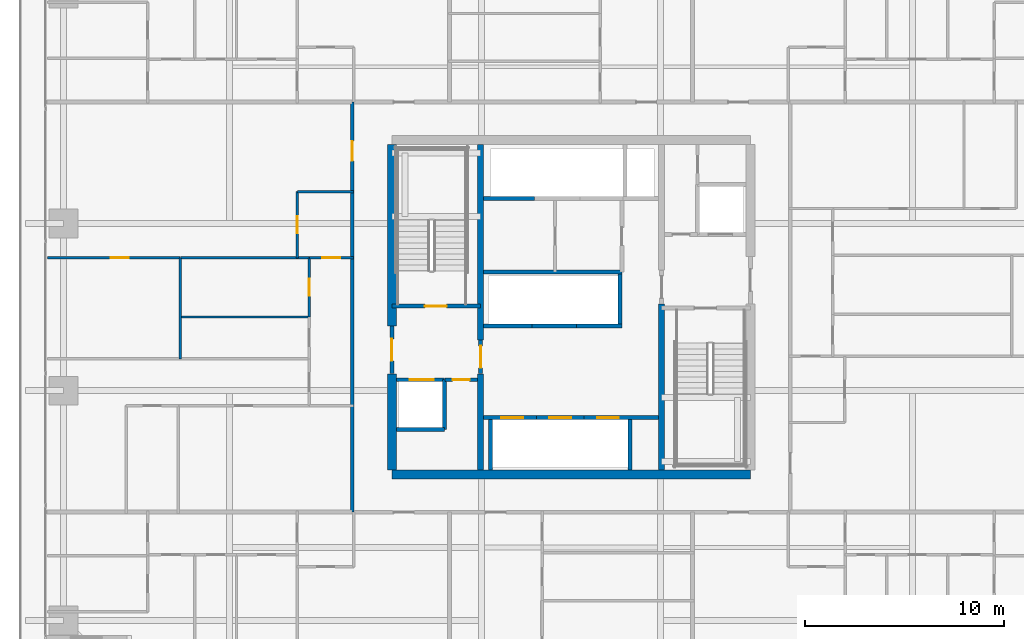
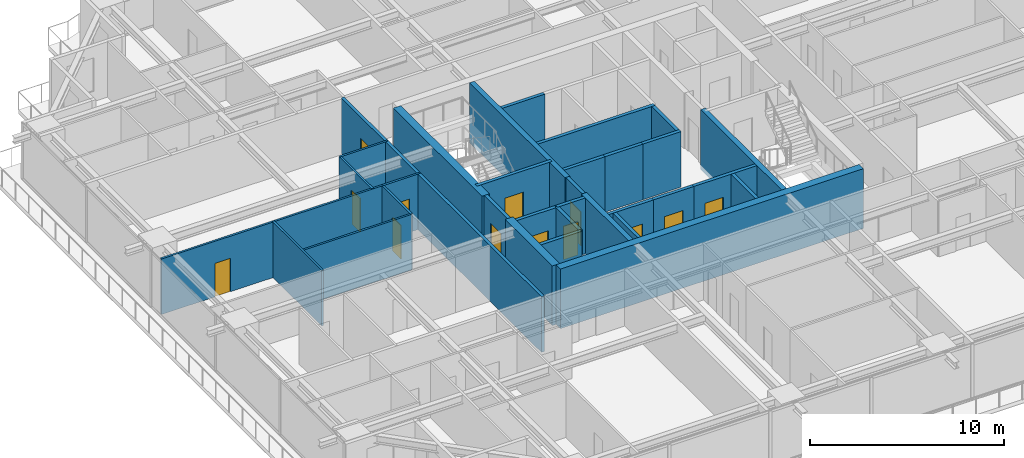
# One storey, part 27 of 37: 33 walls, 13 doors, 13 openings.
"""IFC4 building model written with IfcOpenShell, lengths in metres."""

import ifcopenshell
import ifcopenshell.guid

model = None  # the IFC model being written
_history = None  # IfcOwnerHistory: only IFC2X3 demands one
_inside = {}  # id of a spatial element -> (the spatial element, [elements in it])
_under = {}  # id of a project, library or spatial element -> (it, [spatial elements below it])
_declared = {}  # id of a project -> (the project, [libraries it declares])
_typed = {}  # id of a type object -> (the type object, [elements of that type])
_made_of = {}  # id of a material, layer set ... -> (it, [elements and type objects made of it])


def new_model(schema):
    """Start an empty IFC model of exactly this schema.

    Asked for "IFC4X3", IfcOpenShell would pick the latest addendum, in which some entities
    have other attributes; the version numbers below select the first issue.
    IFC2X3 requires an IfcOwnerHistory on every rooted entity: one is made here for all.
    """
    global model, _history
    if schema == "IFC4X3":
        model = ifcopenshell.file(schema_version=(4, 3, 0, 0))
    else:
        model = ifcopenshell.file(schema=schema)
    _inside.clear()
    _under.clear()
    _declared.clear()
    _typed.clear()
    _made_of.clear()
    _history = None
    if model.schema == "IFC2X3":
        org = make("IfcOrganization", Name="unknown")
        user = make(
            "IfcPersonAndOrganization",
            ThePerson=make("IfcPerson", FamilyName="unknown"),
            TheOrganization=org,
        )
        app = make(
            "IfcApplication",
            ApplicationDeveloper=org,
            Version="unknown",
            ApplicationFullName="unknown",
            ApplicationIdentifier="unknown",
        )
        _history = make(
            "IfcOwnerHistory",
            OwningUser=user,
            OwningApplication=app,
            ChangeAction="ADDED",
            CreationDate=0,
        )
    return model


def make(cls, **values):
    """One entity of the class cls with the attributes given. An attribute that is None is left unset."""
    return model.create_entity(
        cls, **{name: value for name, value in values.items() if value is not None}
    )


def rooted(cls, **values):
    """An entity with a GlobalId (a new one), such as an element, a storey or a relation."""
    return make(cls, GlobalId=ifcopenshell.guid.new(), OwnerHistory=_history, **values)


def si_unit(unit_type, name, prefix=None):
    """IfcSIUnit, for example si_unit("LENGTHUNIT", "METRE", prefix="MILLI")."""
    return make("IfcSIUnit", UnitType=unit_type, Prefix=prefix, Name=name)


def assignment(units):
    """IfcUnitAssignment: the units of a project."""
    return None if units is None else make("IfcUnitAssignment", Units=units)


def point(xyz):
    """IfcCartesianPoint."""
    return None if xyz is None else make("IfcCartesianPoint", Coordinates=xyz)


def direction(xyz):
    """IfcDirection."""
    return None if xyz is None else make("IfcDirection", DirectionRatios=xyz)


def frame(location, z_axis=None, x_axis=None):
    """IfcAxis2Placement3D, a coordinate frame: its origin and axes. An axis left out is left unset."""
    return make(
        "IfcAxis2Placement3D",
        Location=point(location),
        Axis=direction(z_axis),
        RefDirection=direction(x_axis),
    )


def frame_2d(location, x_axis=None):
    """IfcAxis2Placement2D, a coordinate frame in the plane: its origin and x axis."""
    return make(
        "IfcAxis2Placement2D", Location=point(location), RefDirection=direction(x_axis)
    )


def origin():
    """The frame at (0, 0, 0) with its axes left unset."""
    return frame((0.0, 0.0, 0.0))


def place(relative_to, where):
    """IfcLocalPlacement: puts the frame where relative to a parent placement (None: the world)."""
    return make(
        "IfcLocalPlacement", PlacementRelTo=relative_to, RelativePlacement=where
    )


def context(
    kind, dimensions, precision=None, world=None, true_north=None, identifier=None
):
    """IfcGeometricRepresentationContext, for example the 3D "Model" context."""
    return make(
        "IfcGeometricRepresentationContext",
        ContextIdentifier=identifier,
        ContextType=kind,
        CoordinateSpaceDimension=dimensions,
        Precision=precision,
        WorldCoordinateSystem=world,
        TrueNorth=true_north,
    )


def subcontext(parent, identifier, kind, view, scale=None):
    """IfcGeometricRepresentationSubContext, for example "Body" below "Model"."""
    return make(
        "IfcGeometricRepresentationSubContext",
        ContextIdentifier=identifier,
        ContextType=kind,
        ParentContext=parent,
        TargetScale=scale,
        TargetView=view,
    )


def project(units=None, contexts=None):
    """IfcProject with its units and contexts."""
    return rooted(
        "IfcProject",
        Name="project",
        RepresentationContexts=contexts,
        UnitsInContext=assignment(units),
    )


def spatial(cls, under=None, at=None, **own):
    """A site, building, storey or space (cls), placed at a placement, below another one or the project."""
    s = rooted(cls, ObjectPlacement=at, **own)
    if under is not None:
        _under.setdefault(under.id(), (under, []))[1].append(s)
    return s


def profile(cls, at=None, kind="AREA", **sizes):
    """A parametric profile (cls). Its sizes go by their IFC names, for example OverallWidth=200.0."""
    return make(cls, ProfileType=kind, Position=at, **sizes)


def rectangle(**sizes):
    """IfcRectangleProfileDef."""
    return profile("IfcRectangleProfileDef", **sizes)


def extrude(swept, where, along, depth):
    """IfcExtrudedAreaSolid: the profile swept, set in the frame where, extruded along a direction by depth."""
    return make(
        "IfcExtrudedAreaSolid",
        SweptArea=swept,
        Position=where,
        ExtrudedDirection=direction(along),
        Depth=depth,
    )


def shape(context_of_items, identifier, shape_type, items):
    """IfcShapeRepresentation: the items that make up one representation, for example the "Body"."""
    return make(
        "IfcShapeRepresentation",
        ContextOfItems=context_of_items,
        RepresentationIdentifier=identifier,
        RepresentationType=shape_type,
        Items=items,
    )


def source(mapping_origin, context_of_items, identifier, shape_type, items):
    """IfcRepresentationMap: a shape defined once, which mapped items show again and again."""
    return make(
        "IfcRepresentationMap",
        MappingOrigin=mapping_origin,
        MappedRepresentation=shape(context_of_items, identifier, shape_type, items),
    )


def transform(
    local_origin,
    x_axis=None,
    y_axis=None,
    z_axis=None,
    scale=None,
    scale2=None,
    scale3=None,
    uniform=True,
):
    """IfcCartesianTransformationOperator3D, or its non-uniform kind. x_axis, y_axis, z_axis: its Axis1, 2, 3."""
    if uniform:
        return make(
            "IfcCartesianTransformationOperator3D",
            Axis1=direction(x_axis),
            Axis2=direction(y_axis),
            LocalOrigin=point(local_origin),
            Scale=scale,
            Axis3=direction(z_axis),
        )
    return make(
        "IfcCartesianTransformationOperator3DnonUniform",
        Axis1=direction(x_axis),
        Axis2=direction(y_axis),
        LocalOrigin=point(local_origin),
        Scale=scale,
        Axis3=direction(z_axis),
        Scale2=scale2,
        Scale3=scale3,
    )


def mapped(mapping_source, mapping_target):
    """IfcMappedItem: shows the shape of a source again, moved by a transform."""
    return make(
        "IfcMappedItem", MappingSource=mapping_source, MappingTarget=mapping_target
    )


def material(Name=None, Category=None):
    """IfcMaterial."""
    return make("IfcMaterial", Name=Name, Category=Category)


def layer(
    of_material, thickness, ventilated=None, Name=None, Category=None, Priority=None
):
    """IfcMaterialLayer: one layer of a wall or slab, of a material (None: an air gap)."""
    return make(
        "IfcMaterialLayer",
        Material=of_material,
        LayerThickness=thickness,
        IsVentilated=ventilated,
        Name=Name,
        Category=Category,
        Priority=Priority,
    )


def layer_set(layers, Name=None):
    """IfcMaterialLayerSet."""
    return make("IfcMaterialLayerSet", MaterialLayers=layers, LayerSetName=Name)


def made_of(thing, what):
    """Note that an element or type object is made of a material, layer set ...; save() writes the relation."""
    if what is not None:
        _made_of.setdefault(what.id(), (what, []))[1].append(thing)
    return thing


def type_object(cls, material=None, **own):
    """A type object (cls), such as IfcWallType, which elements share."""
    return made_of(rooted(cls, **own), material)


def element(
    cls,
    number,
    at=None,
    inside=None,
    cuts=None,
    type_object=None,
    material=None,
    context=None,
    identifier="Body",
    shape_type=None,
    held_by="IfcProductDefinitionShape",
    body=None,
    shapes=None,
    **own,
):
    """One element of the class cls, such as IfcWall. Its Tag is "e" and its number.

    at: its placement. inside: the storey or other place that contains it. cuts: it is an
    opening in that element (IfcRelVoidsElement). A single representation is given by context,
    identifier, shape_type and body (its items); several are given by shapes. held_by: the class
    of the entity that holds the representations. save() writes the other relations.
    """
    e = rooted(cls, Tag="e%d" % number, ObjectPlacement=at, **own)
    if body is not None:
        shapes = [shape(context, identifier, shape_type, body)]
    if shapes is not None:
        e.Representation = make(held_by, Representations=shapes)
    if inside is not None:
        _inside.setdefault(inside.id(), (inside, []))[1].append(e)
    if cuts is not None:
        rooted(
            "IfcRelVoidsElement", RelatingBuildingElement=cuts, RelatedOpeningElement=e
        )
    if type_object is not None:
        _typed.setdefault(type_object.id(), (type_object, []))[1].append(e)
    return made_of(e, material)


def fill(opening, filler):
    """IfcRelFillsElement: the door or window that sits in an opening."""
    return rooted(
        "IfcRelFillsElement",
        RelatingOpeningElement=opening,
        RelatedBuildingElement=filler,
    )


def aggregate(whole, parts):
    """IfcRelAggregates: a whole, such as a stair, and the parts it consists of."""
    return rooted("IfcRelAggregates", RelatingObject=whole, RelatedObjects=parts)


def save(model, path):
    """Write the relations noted so far, then the file.

    IfcRelAggregates (storeys below a building ...), IfcRelContainedInSpatialStructure (elements
    in a storey), IfcRelDefinesByType, IfcRelAssociatesMaterial and IfcRelDeclares: one each for
    every whole, place, type object, material and project.
    """
    for whole, parts in _under.values():
        aggregate(whole, parts)
    for where, things in _inside.values():
        rooted(
            "IfcRelContainedInSpatialStructure",
            RelatedElements=things,
            RelatingStructure=where,
        )
    for kind, things in _typed.values():
        rooted("IfcRelDefinesByType", RelatedObjects=things, RelatingType=kind)
    for what, things in _made_of.values():
        rooted("IfcRelAssociatesMaterial", RelatedObjects=things, RelatingMaterial=what)
    for by, libraries in _declared.values():
        rooted("IfcRelDeclares", RelatingContext=by, RelatedDefinitions=libraries)
    model.write(path)


model = new_model("IFC4")

# Units and contexts
model_context = context("Model", 3, precision=1e-05, world=origin(), true_north=direction((0.0, 1.0)))
body_context = subcontext(model_context, "Body", "Model", "MODEL_VIEW")
ifc_project = project(units=[si_unit("LENGTHUNIT", "METRE"), si_unit("AREAUNIT", "SQUARE_METRE"), si_unit("VOLUMEUNIT", "CUBIC_METRE"), si_unit("PLANEANGLEUNIT", "RADIAN"), si_unit("MASSUNIT", "GRAM", prefix="KILO")], contexts=[model_context])

# Site, building, storey
site_placement = place(None, origin())
site = spatial("IfcSite", under=ifc_project, at=site_placement, CompositionType="ELEMENT")
building_placement = place(site_placement, origin())
building = spatial("IfcBuilding", under=site, at=building_placement, Name="Serunith Strait Residences", CompositionType="ELEMENT")
storey_placement = place(building_placement, frame((0.0, 0.0, 34.199951171875)))
storey = spatial("IfcBuildingStorey", under=building, at=storey_placement, Name="L07", CompositionType="ELEMENT", Elevation=34.199951171875)

# Wall, opening, door
ifc_material_1 = material(Name="Fire-rated acoustic gypsum partition")
ifc_layer_1 = layer(ifc_material_1, 0.179931640625, Name="Fire-rated acoustic gypsum partition")
ifc_layer_set_1 = layer_set([ifc_layer_1], Name="Fire-rated acoustic gypsum partition")
wall_type_1 = type_object("IfcWallType", Name="IW-CORR-180", PredefinedType="PARTITIONING", material=ifc_layer_set_1)
wall_1_placement = place(storey_placement, frame((21.39990234375, 14.89990234375, 0.0), z_axis=(0.0, 0.0, 1.0), x_axis=(0.0, 1.0, 0.0)))
wall_1 = element("IfcWall", 1, at=wall_1_placement, inside=storey, type_object=wall_type_1, Name="L07 Partition Wall 025", PredefinedType="PARTITIONING", context=body_context, shape_type="SweptSolid", body=[
    extrude(rectangle(XDim=20.60009765625, YDim=0.179931640625, at=frame_2d((10.300048828125, 0.0))), origin(), (0.0, 0.0, 1.0), 3.489990234375),
])
opening_1_placement = place(wall_1_placement, frame((17.639892578125, 0.0, 0.0)))
opening_1 = element("IfcOpeningElement", 2, at=opening_1_placement, cuts=wall_1, Name="Opening D-APT1000", PredefinedType="OPENING", context=body_context, shape_type="SweptSolid", body=[
    extrude(rectangle(XDim=1.0, YDim=2.14990234375, at=frame_2d((0.5, 1.074951171875))), frame((0.0, 0.10009765625, 0.0), z_axis=(0.0, -1.0, 0.0), x_axis=(1.0, 0.0, 0.0)), (0.0, 0.0, 1.0), 0.199951171875),
])
ifc_material_2 = material(Name="Solid timber engineered fire door", Category="wood")
door_type_1 = type_object("IfcDoorType", Name="ID-APT-1000", OperationType="NOTDEFINED", PredefinedType="DOOR", material=ifc_material_2)
shared_shape_1 = source(origin(), body_context, "Body", "SweptSolid", [
    extrude(rectangle(XDim=1.0, YDim=2.14990234375, at=frame_2d((0.5, 1.074951171875))), frame((0.0, 0.02490234375, 0.0), z_axis=(0.0, -1.0, 0.0), x_axis=(1.0, 0.0, 0.0)), (0.0, 0.0, 1.0), 0.050048828125),
])
door_1_placement = place(opening_1_placement, origin())
door_1 = element("IfcDoor", 3, at=door_1_placement, inside=storey, type_object=door_type_1, Name="L07 Unit 07 Entrance Door", OperationType="SINGLE_SWING_RIGHT", OverallHeight=2.14990234375, OverallWidth=1.0, PredefinedType="DOOR", context=body_context, shape_type="MappedRepresentation", body=[
    mapped(shared_shape_1, transform((0.0, 0.0, 0.0), scale=1.0)),
])
fill(opening_1, door_1)

ifc_material_3 = material(Name="Lightweight steel-stud gypsum partition", Category="steel")
ifc_layer_2 = layer(ifc_material_3, 0.1201171875, Name="Lightweight steel-stud gypsum partition")
ifc_layer_set_2 = layer_set([ifc_layer_2], Name="Lightweight steel-stud gypsum partition")
wall_type_2 = type_object("IfcWallType", Name="IW-PART-120", PredefinedType="PARTITIONING", material=ifc_layer_set_2)
wall_2_placement = place(storey_placement, frame((18.64990234375, 27.669921875, 0.0), z_axis=(0.0, 0.0, 1.0), x_axis=(0.0, 1.0, 0.0)))
wall_2 = element("IfcWall", 4, at=wall_2_placement, inside=storey, type_object=wall_type_2, Name="L07 Partition Wall 101", PredefinedType="PARTITIONING", context=body_context, shape_type="SweptSolid", body=[
    extrude(rectangle(XDim=3.330078125, YDim=0.1201171875, at=frame_2d((1.6650390625, 0.0))), origin(), (0.0, 0.0, 1.0), 3.489990234375),
])
opening_2_placement = place(wall_2_placement, frame((1.239990234375, 0.0, 0.0)))
opening_2 = element("IfcOpeningElement", 5, at=opening_2_placement, cuts=wall_2, Name="Opening D-RM850", PredefinedType="OPENING", context=body_context, shape_type="SweptSolid", body=[
    extrude(rectangle(XDim=0.85009765625, YDim=2.10009765625, at=frame_2d((0.425048828125, 1.050048828125))), frame((0.0, 0.070068359375, 0.0), z_axis=(0.0, -1.0, 0.0), x_axis=(1.0, 0.0, 0.0)), (0.0, 0.0, 1.0), 0.14013671875),
])
ifc_material_4 = material(Name="Engineered timber flush study and kitchen door", Category="wood")
door_type_2 = type_object("IfcDoorType", Name="ID-ROOM-850", OperationType="NOTDEFINED", PredefinedType="DOOR", material=ifc_material_4)
shared_shape_2 = source(origin(), body_context, "Body", "SweptSolid", [
    extrude(rectangle(XDim=0.85009765625, YDim=2.10009765625, at=frame_2d((0.425048828125, 1.050048828125))), frame((0.0, 0.02490234375, 0.0), z_axis=(0.0, -1.0, 0.0), x_axis=(1.0, 0.0, 0.0)), (0.0, 0.0, 1.0), 0.050048828125),
])
door_2_placement = place(opening_2_placement, origin())
door_2 = element("IfcDoor", 6, at=door_2_placement, inside=storey, type_object=door_type_2, Name="L07 Kitchen 0707 Door", OperationType="SINGLE_SWING_RIGHT", OverallHeight=2.10009765625, OverallWidth=0.85009765625, PredefinedType="DOOR", context=body_context, shape_type="MappedRepresentation", body=[
    mapped(shared_shape_2, transform((0.0, 0.0, 0.0), scale=1.0)),
])
fill(opening_2, door_2)

# Wall
wall_3_placement = place(storey_placement, frame((18.64990234375, 31.0, 0.0), z_axis=(0.0, 0.0, 1.0), x_axis=(1.0, 0.0, 0.0)))
element("IfcWall", 7, at=wall_3_placement, inside=storey, type_object=wall_type_2, Name="L07 Partition Wall 102", PredefinedType="PARTITIONING", context=body_context, shape_type="SweptSolid", body=[
    extrude(rectangle(XDim=2.81005859375, YDim=0.1201171875, at=frame_2d((1.405029296875, 0.0))), origin(), (0.0, 0.0, 1.0), 3.489990234375),
])

# Wall, opening, door
wall_4_placement = place(storey_placement, frame((19.25, 27.669921875, 0.0), z_axis=(0.0, 0.0, 1.0), x_axis=(1.0, 0.0, 0.0)))
wall_4 = element("IfcWall", 8, at=wall_4_placement, inside=storey, type_object=wall_type_2, Name="L07 Partition Wall 103", PredefinedType="PARTITIONING", context=body_context, shape_type="SweptSolid", body=[
    extrude(rectangle(XDim=2.2099609375, YDim=0.1201171875, at=frame_2d((1.10498046875, 0.0))), origin(), (0.0, 0.0, 1.0), 3.489990234375),
])
opening_3_placement = place(wall_4_placement, frame((0.655029296875, 0.0, 0.0)))
opening_3 = element("IfcOpeningElement", 9, at=opening_3_placement, cuts=wall_4, Name="Opening D-RM900", PredefinedType="OPENING", context=body_context, shape_type="SweptSolid", body=[
    extrude(rectangle(XDim=0.89990234375, YDim=2.10009765625, at=frame_2d((0.449951171875, 1.050048828125))), frame((0.0, 0.070068359375, 0.0), z_axis=(0.0, -1.0, 0.0), x_axis=(1.0, 0.0, 0.0)), (0.0, 0.0, 1.0), 0.14013671875),
])
ifc_material_5 = material(Name="Engineered timber flush bedroom door", Category="wood")
door_type_3 = type_object("IfcDoorType", Name="ID-ROOM-900", OperationType="NOTDEFINED", PredefinedType="DOOR", material=ifc_material_5)
shared_shape_3 = source(origin(), body_context, "Body", "SweptSolid", [
    extrude(rectangle(XDim=0.89990234375, YDim=2.10009765625, at=frame_2d((0.449951171875, 1.050048828125))), frame((0.0, 0.02490234375, 0.0), z_axis=(0.0, -1.0, 0.0), x_axis=(1.0, 0.0, 0.0)), (0.0, 0.0, 1.0), 0.050048828125),
])
door_3_placement = place(opening_3_placement, origin())
door_3 = element("IfcDoor", 10, at=door_3_placement, inside=storey, type_object=door_type_3, Name="L07 Hall W 0707 Door", OperationType="SINGLE_SWING_LEFT", OverallHeight=2.10009765625, OverallWidth=0.89990234375, PredefinedType="DOOR", context=body_context, shape_type="MappedRepresentation", body=[
    mapped(shared_shape_3, transform((0.0, 0.0, 0.0), scale=1.0)),
])
fill(opening_3, door_3)

wall_5_placement = place(storey_placement, frame((6.094970703125, 27.669921875, 0.0), z_axis=(0.0, 0.0, 1.0), x_axis=(1.0, 0.0, 0.0)))
wall_5 = element("IfcWall", 11, at=wall_5_placement, inside=storey, type_object=wall_type_2, Name="L07 Partition Wall 104", PredefinedType="PARTITIONING", context=body_context, shape_type="SweptSolid", body=[
    extrude(rectangle(XDim=6.669921875, YDim=0.1201171875, at=frame_2d((3.3349609375, 0.0))), origin(), (0.0, 0.0, 1.0), 3.489990234375),
])
opening_4_placement = place(wall_5_placement, frame((3.174072265625, 0.0, 0.0)))
opening_4 = element("IfcOpeningElement", 12, at=opening_4_placement, cuts=wall_5, Name="Opening D-RM900", PredefinedType="OPENING", context=body_context, shape_type="SweptSolid", body=[
    extrude(rectangle(XDim=0.89990234375, YDim=2.10009765625, at=frame_2d((0.449951171875, 1.050048828125))), frame((0.0, 0.070068359375, 0.0), z_axis=(0.0, -1.0, 0.0), x_axis=(1.0, 0.0, 0.0)), (0.0, 0.0, 1.0), 0.14013671875),
])
door_4_placement = place(opening_4_placement, origin())
door_4 = element("IfcDoor", 13, at=door_4_placement, inside=storey, type_object=door_type_3, Name="L07 Formal Dining Room 1 0707 Door", OperationType="SINGLE_SWING_RIGHT", OverallHeight=2.10009765625, OverallWidth=0.89990234375, PredefinedType="DOOR", context=body_context, shape_type="MappedRepresentation", body=[
    mapped(shared_shape_3, transform((0.0, 0.0, 0.0), scale=1.0)),
])
fill(opening_4, door_4)

# Walls
wall_6_placement = place(storey_placement, frame((12.76708984375, 27.669921875, 0.0), z_axis=(0.0, 0.0, 1.0), x_axis=(1.0, 0.0, 0.0)))
element("IfcWall", 14, at=wall_6_placement, inside=storey, type_object=wall_type_2, Name="L07 Partition Wall 105", PredefinedType="PARTITIONING", context=body_context, shape_type="SweptSolid", body=[
    extrude(rectangle(XDim=6.48095703125, YDim=0.1201171875, at=frame_2d((3.240478515625, 0.0))), origin(), (0.0, 0.0, 1.0), 3.489990234375),
])
wall_7_placement = place(storey_placement, frame((12.764892578125, 22.60009765625, 0.0), z_axis=(0.0, 0.0, 1.0), x_axis=(0.0, 1.0, 0.0)))
element("IfcWall", 15, at=wall_7_placement, inside=storey, type_object=wall_type_2, Name="L07 Partition Wall 106", PredefinedType="PARTITIONING", context=body_context, shape_type="SweptSolid", body=[
    extrude(rectangle(XDim=5.06982421875, YDim=0.1201171875, at=frame_2d((2.534912109375, 0.0))), origin(), (0.0, 0.0, 1.0), 3.489990234375),
])
wall_8_placement = place(storey_placement, frame((12.764892578125, 24.699951171875, 0.0), z_axis=(0.0, 0.0, 1.0), x_axis=(1.0, 0.0, 0.0)))
element("IfcWall", 16, at=wall_8_placement, inside=storey, type_object=wall_type_2, Name="L07 Partition Wall 108", PredefinedType="PARTITIONING", context=body_context, shape_type="SweptSolid", body=[
    extrude(rectangle(XDim=6.485107421875, YDim=0.1201171875, at=frame_2d((3.24267578125, 0.0))), origin(), (0.0, 0.0, 1.0), 3.489990234375),
])

# Wall, opening, door
wall_9_placement = place(storey_placement, frame((19.25, 24.701904296875, 0.0), z_axis=(0.0, 0.0, 1.0), x_axis=(0.0, 1.0, 0.0)))
wall_9 = element("IfcWall", 17, at=wall_9_placement, inside=storey, type_object=wall_type_2, Name="L07 Partition Wall 110", PredefinedType="PARTITIONING", context=body_context, shape_type="SweptSolid", body=[
    extrude(rectangle(XDim=2.968017578125, YDim=0.1201171875, at=frame_2d((1.48388671875, 0.0))), origin(), (0.0, 0.0, 1.0), 3.489990234375),
])
opening_5_placement = place(wall_9_placement, frame((1.05908203125, 0.0, 0.0)))
opening_5 = element("IfcOpeningElement", 18, at=opening_5_placement, cuts=wall_9, Name="Opening D-RM850", PredefinedType="OPENING", context=body_context, shape_type="SweptSolid", body=[
    extrude(rectangle(XDim=0.85009765625, YDim=2.10009765625, at=frame_2d((0.425048828125, 1.050048828125))), frame((0.0, 0.070068359375, 0.0), z_axis=(0.0, -1.0, 0.0), x_axis=(1.0, 0.0, 0.0)), (0.0, 0.0, 1.0), 0.14013671875),
])
door_5_placement = place(opening_5_placement, origin())
door_5 = element("IfcDoor", 19, at=door_5_placement, inside=storey, type_object=door_type_2, Name="L07 Formal Dining Room 0707 Door", OperationType="SINGLE_SWING_RIGHT", OverallHeight=2.10009765625, OverallWidth=0.85009765625, PredefinedType="DOOR", context=body_context, shape_type="MappedRepresentation", body=[
    mapped(shared_shape_2, transform((0.0, 0.0, 0.0), scale=1.0)),
])
fill(opening_5, door_5)

ifc_material_6 = material(Name="Autoclaved aerated concrete blockwork", Category="masonry")
ifc_layer_3 = layer(ifc_material_6, 0.199951171875, Name="Autoclaved aerated concrete blockwork")
ifc_layer_set_3 = layer_set([ifc_layer_3], Name="Autoclaved aerated concrete blockwork")
wall_type_3 = type_object("IfcWallType", Name="IW-SHAFT-200", PredefinedType="STANDARD", material=ifc_layer_set_3)
wall_10_placement = place(storey_placement, frame((23.39990234375, 25.25, 0.0), z_axis=(0.0, 0.0, 1.0), x_axis=(1.0, 0.0, 0.0)))
wall_10 = element("IfcWall", 20, at=wall_10_placement, inside=storey, type_object=wall_type_3, Name="L07 ST-1 South Shaft Wall", PredefinedType="STANDARD", context=body_context, shape_type="SweptSolid", body=[
    extrude(rectangle(XDim=4.4501953125, YDim=0.199951171875, at=frame_2d((2.22509765625, 0.0))), origin(), (0.0, 0.0, 1.0), 3.489990234375),
])
opening_6_placement = place(wall_10_placement, frame((1.64990234375, 0.0, 0.0)))
opening_6 = element("IfcOpeningElement", 21, at=opening_6_placement, cuts=wall_10, Name="Opening FD-1100", PredefinedType="OPENING", context=body_context, shape_type="SweptSolid", body=[
    extrude(rectangle(XDim=1.10009765625, YDim=2.14990234375, at=frame_2d((0.550048828125, 1.074951171875))), frame((0.0, 0.10986328125, 0.0), z_axis=(0.0, -1.0, 0.0), x_axis=(1.0, 0.0, 0.0)), (0.0, 0.0, 1.0), 0.219970703125),
])
ifc_material_7 = material(Name="Galvanised steel fire door leaf", Category="steel")
door_type_4 = type_object("IfcDoorType", Name="FD-STAIR-1100", OperationType="NOTDEFINED", PredefinedType="DOOR", material=ifc_material_7)
shared_shape_4 = source(origin(), body_context, "Body", "SweptSolid", [
    extrude(rectangle(XDim=1.10009765625, YDim=2.14990234375, at=frame_2d((0.550048828125, 1.074951171875))), frame((0.0, 0.02490234375, 0.0), z_axis=(0.0, -1.0, 0.0), x_axis=(1.0, 0.0, 0.0)), (0.0, 0.0, 1.0), 0.050048828125),
])
door_6_placement = place(opening_6_placement, origin())
door_6 = element("IfcDoor", 22, at=door_6_placement, inside=storey, type_object=door_type_4, Name="L07 ST-1 Escape Stair Door", OperationType="SINGLE_SWING_LEFT", OverallHeight=2.14990234375, OverallWidth=1.10009765625, PredefinedType="DOOR", context=body_context, shape_type="MappedRepresentation", body=[
    mapped(shared_shape_4, transform((0.0, 0.0, 0.0), scale=1.0)),
])
fill(opening_6, door_6)

wall_11_placement = place(storey_placement, frame((23.625, 21.550048828125, 0.0), z_axis=(0.0, 0.0, 1.0), x_axis=(1.0, 0.0, 0.0)))
wall_11 = element("IfcWall", 23, at=wall_11_placement, inside=storey, type_object=wall_type_3, Name="L07 FL-1 North Shaft Wall", PredefinedType="STANDARD", context=body_context, shape_type="SweptSolid", body=[
    extrude(rectangle(XDim=2.425048828125, YDim=0.199951171875, at=frame_2d((1.21240234375, 0.0))), origin(), (0.0, 0.0, 1.0), 3.489990234375),
])
opening_7_placement = place(wall_11_placement, frame((0.675048828125, 0.0, 0.0)))
opening_7 = element("IfcOpeningElement", 24, at=opening_7_placement, cuts=wall_11, Name="Opening LD-FF1200", PredefinedType="OPENING", context=body_context, shape_type="SweptSolid", body=[
    extrude(rectangle(XDim=1.199951171875, YDim=2.199951171875, at=frame_2d((0.60009765625, 1.10009765625))), frame((0.0, 0.10986328125, 0.0), z_axis=(0.0, -1.0, 0.0), x_axis=(1.0, 0.0, 0.0)), (0.0, 0.0, 1.0), 0.219970703125),
])
ifc_material_8 = material(Name="Brushed stainless steel landing door", Category="steel")
door_type_5 = type_object("IfcDoorType", Name="LD-FF-1200", OperationType="DOUBLE_DOOR_SLIDING", PredefinedType="DOOR", material=ifc_material_8)
shared_shape_5 = source(origin(), body_context, "Body", "SweptSolid", [
    extrude(rectangle(XDim=1.199951171875, YDim=2.199951171875, at=frame_2d((0.60009765625, 1.10009765625))), frame((0.0, 0.02490234375, 0.0), z_axis=(0.0, -1.0, 0.0), x_axis=(1.0, 0.0, 0.0)), (0.0, 0.0, 1.0), 0.050048828125),
])
door_7_placement = place(opening_7_placement, origin())
door_7 = element("IfcDoor", 25, at=door_7_placement, inside=storey, type_object=door_type_5, Name="L07 FL-1 Landing Door", OperationType="DOUBLE_DOOR_SLIDING", OverallHeight=2.199951171875, OverallWidth=1.199951171875, PredefinedType="DOOR", context=body_context, shape_type="MappedRepresentation", body=[
    mapped(shared_shape_5, transform((0.0, 0.0, 0.0), scale=1.0)),
])
fill(opening_7, door_7)

wall_12_placement = place(storey_placement, frame((28.0, 19.64990234375, 0.0), z_axis=(0.0, 0.0, 1.0), x_axis=(1.0, 0.0, 0.0)))
wall_12 = element("IfcWall", 26, at=wall_12_placement, inside=storey, type_object=wall_type_3, Name="L07 PL-1 North Shaft Wall", PredefinedType="STANDARD", context=body_context, shape_type="SweptSolid", body=[
    extrude(rectangle(XDim=2.64990234375, YDim=0.199951171875, at=frame_2d((1.324951171875, 0.0))), origin(), (0.0, 0.0, 1.0), 3.489990234375),
])
opening_8_placement = place(wall_12_placement, frame((0.89990234375, 0.0, 0.0)))
opening_8 = element("IfcOpeningElement", 27, at=opening_8_placement, cuts=wall_12, Name="Opening LD-1100", PredefinedType="OPENING", context=body_context, shape_type="SweptSolid", body=[
    extrude(rectangle(XDim=1.10009765625, YDim=2.199951171875, at=frame_2d((0.550048828125, 1.10009765625))), frame((0.0, 0.10986328125, 0.0), z_axis=(0.0, -1.0, 0.0), x_axis=(1.0, 0.0, 0.0)), (0.0, 0.0, 1.0), 0.219970703125),
])
ifc_material_9 = material(Name="Pale-champagne stainless landing door")
door_type_6 = type_object("IfcDoorType", Name="LD-LIFT-1100", OperationType="DOUBLE_DOOR_SLIDING", PredefinedType="DOOR", material=ifc_material_9)
shared_shape_6 = source(origin(), body_context, "Body", "SweptSolid", [
    extrude(rectangle(XDim=1.10009765625, YDim=2.199951171875, at=frame_2d((0.550048828125, 1.10009765625))), frame((0.0, 0.02490234375, 0.0), z_axis=(0.0, -1.0, 0.0), x_axis=(1.0, 0.0, 0.0)), (0.0, 0.0, 1.0), 0.050048828125),
])
door_8_placement = place(opening_8_placement, origin())
door_8 = element("IfcDoor", 28, at=door_8_placement, inside=storey, type_object=door_type_6, Name="L07 PL-1 Landing Door", OperationType="DOUBLE_DOOR_SLIDING", OverallHeight=2.199951171875, OverallWidth=1.10009765625, PredefinedType="DOOR", context=body_context, shape_type="MappedRepresentation", body=[
    mapped(shared_shape_6, transform((0.0, 0.0, 0.0), scale=1.0)),
])
fill(opening_8, door_8)

# Wall
wall_13_placement = place(storey_placement, frame((28.35009765625, 17.02490234375, 0.0), z_axis=(0.0, 0.0, 1.0), x_axis=(0.0, 1.0, 0.0)))
element("IfcWall", 29, at=wall_13_placement, inside=storey, type_object=wall_type_3, Name="L07 PL-1 West Shaft Wall", PredefinedType="STANDARD", context=body_context, shape_type="SweptSolid", body=[
    extrude(rectangle(XDim=2.525146484375, YDim=0.199951171875, at=frame_2d((1.2626953125, 0.0))), origin(), (0.0, 0.0, 1.0), 3.489990234375),
])

# Wall, opening, door
wall_14_placement = place(storey_placement, frame((30.64990234375, 19.64990234375, 0.0), z_axis=(0.0, 0.0, 1.0), x_axis=(1.0, 0.0, 0.0)))
wall_14 = element("IfcWall", 30, at=wall_14_placement, inside=storey, type_object=wall_type_3, Name="L07 PL-2 North Shaft Wall", PredefinedType="STANDARD", context=body_context, shape_type="SweptSolid", body=[
    extrude(rectangle(XDim=2.400146484375, YDim=0.199951171875, at=frame_2d((1.2001953125, 0.0))), origin(), (0.0, 0.0, 1.0), 3.489990234375),
])
opening_9_placement = place(wall_14_placement, frame((0.64990234375, 0.0, 0.0)))
opening_9 = element("IfcOpeningElement", 31, at=opening_9_placement, cuts=wall_14, Name="Opening LD-1100", PredefinedType="OPENING", context=body_context, shape_type="SweptSolid", body=[
    extrude(rectangle(XDim=1.10009765625, YDim=2.199951171875, at=frame_2d((0.550048828125, 1.10009765625))), frame((0.0, 0.10986328125, 0.0), z_axis=(0.0, -1.0, 0.0), x_axis=(1.0, 0.0, 0.0)), (0.0, 0.0, 1.0), 0.219970703125),
])
door_9_placement = place(opening_9_placement, origin())
door_9 = element("IfcDoor", 32, at=door_9_placement, inside=storey, type_object=door_type_6, Name="L07 PL-2 Landing Door", OperationType="DOUBLE_DOOR_SLIDING", OverallHeight=2.199951171875, OverallWidth=1.10009765625, PredefinedType="DOOR", context=body_context, shape_type="MappedRepresentation", body=[
    mapped(shared_shape_6, transform((0.0, 0.0, 0.0), scale=1.0)),
])
fill(opening_9, door_9)

wall_15_placement = place(storey_placement, frame((33.050048828125, 19.64990234375, 0.0), z_axis=(0.0, 0.0, 1.0), x_axis=(1.0, 0.0, 0.0)))
wall_15 = element("IfcWall", 33, at=wall_15_placement, inside=storey, type_object=wall_type_3, Name="L07 PL-3 North Shaft Wall", PredefinedType="STANDARD", context=body_context, shape_type="SweptSolid", body=[
    extrude(rectangle(XDim=3.75, YDim=0.199951171875, at=frame_2d((1.875, 0.0))), origin(), (0.0, 0.0, 1.0), 3.489990234375),
])
opening_10_placement = place(wall_15_placement, frame((0.64990234375, 0.0, 0.0)))
opening_10 = element("IfcOpeningElement", 34, at=opening_10_placement, cuts=wall_15, Name="Opening LD-1100", PredefinedType="OPENING", context=body_context, shape_type="SweptSolid", body=[
    extrude(rectangle(XDim=1.10009765625, YDim=2.199951171875, at=frame_2d((0.550048828125, 1.10009765625))), frame((0.0, 0.10986328125, 0.0), z_axis=(0.0, -1.0, 0.0), x_axis=(1.0, 0.0, 0.0)), (0.0, 0.0, 1.0), 0.219970703125),
])
door_10_placement = place(opening_10_placement, origin())
door_10 = element("IfcDoor", 35, at=door_10_placement, inside=storey, type_object=door_type_6, Name="L07 PL-3 Landing Door", OperationType="DOUBLE_DOOR_SLIDING", OverallHeight=2.199951171875, OverallWidth=1.10009765625, PredefinedType="DOOR", context=body_context, shape_type="MappedRepresentation", body=[
    mapped(shared_shape_6, transform((0.0, 0.0, 0.0), scale=1.0)),
])
fill(opening_10, door_10)

# Walls
wall_16_placement = place(storey_placement, frame((35.35009765625, 17.02490234375, 0.0), z_axis=(0.0, 0.0, 1.0), x_axis=(0.0, 1.0, 0.0)))
element("IfcWall", 36, at=wall_16_placement, inside=storey, type_object=wall_type_3, Name="L07 PL-3 East Shaft Wall", PredefinedType="STANDARD", context=body_context, shape_type="SweptSolid", body=[
    extrude(rectangle(XDim=2.525146484375, YDim=0.199951171875, at=frame_2d((1.2626953125, 0.0))), origin(), (0.0, 0.0, 1.0), 3.489990234375),
])
wall_17_placement = place(storey_placement, frame((28.0, 24.25, 0.0), z_axis=(0.0, 0.0, 1.0), x_axis=(1.0, 0.0, 0.0)))
element("IfcWall", 37, at=wall_17_placement, inside=storey, type_object=wall_type_3, Name="L07 PL-4 South Shaft Wall", PredefinedType="STANDARD", context=body_context, shape_type="SweptSolid", body=[
    extrude(rectangle(XDim=2.425048828125, YDim=0.199951171875, at=frame_2d((1.21240234375, 0.0))), origin(), (0.0, 0.0, 1.0), 3.489990234375),
])
wall_18_placement = place(storey_placement, frame((30.425048828125, 24.25, 0.0), z_axis=(0.0, 0.0, 1.0), x_axis=(1.0, 0.0, 0.0)))
element("IfcWall", 38, at=wall_18_placement, inside=storey, type_object=wall_type_3, Name="L07 PL-5 South Shaft Wall", PredefinedType="STANDARD", context=body_context, shape_type="SweptSolid", body=[
    extrude(rectangle(XDim=2.25, YDim=0.199951171875, at=frame_2d((1.125, 0.0))), origin(), (0.0, 0.0, 1.0), 3.489990234375),
])
wall_19_placement = place(storey_placement, frame((32.675048828125, 24.25, 0.0), z_axis=(0.0, 0.0, 1.0), x_axis=(1.0, 0.0, 0.0)))
element("IfcWall", 39, at=wall_19_placement, inside=storey, type_object=wall_type_3, Name="L07 PL-6 South Shaft Wall", PredefinedType="STANDARD", context=body_context, shape_type="SweptSolid", body=[
    extrude(rectangle(XDim=2.27490234375, YDim=0.199951171875, at=frame_2d((1.137451171875, 0.0))), origin(), (0.0, 0.0, 1.0), 3.489990234375),
])
wall_20_placement = place(storey_placement, frame((34.85009765625, 24.35009765625, 0.0), z_axis=(0.0, 0.0, 1.0), x_axis=(0.0, 1.0, 0.0)))
element("IfcWall", 40, at=wall_20_placement, inside=storey, type_object=wall_type_3, Name="L07 PL-6 East Shaft Wall", PredefinedType="STANDARD", context=body_context, shape_type="SweptSolid", body=[
    extrude(rectangle(XDim=2.5, YDim=0.199951171875, at=frame_2d((1.25, 0.0))), origin(), (0.0, 0.0, 1.0), 3.489990234375),
])
wall_21_placement = place(storey_placement, frame((28.0, 30.64990234375, 0.0), z_axis=(0.0, 0.0, 1.0), x_axis=(1.0, 0.0, 0.0)))
element("IfcWall", 41, at=wall_21_placement, inside=storey, type_object=wall_type_3, Name="L07 PL-7 South Shaft Wall", PredefinedType="STANDARD", context=body_context, shape_type="SweptSolid", body=[
    extrude(rectangle(XDim=2.550048828125, YDim=0.199951171875, at=frame_2d((1.27490234375, 0.0))), origin(), (0.0, 0.0, 1.0), 3.489990234375),
])
wall_22_placement = place(storey_placement, frame((26.050048828125, 19.050048828125, 0.0), z_axis=(0.0, 0.0, 1.0), x_axis=(0.0, 1.0, 0.0)))
element("IfcWall", 42, at=wall_22_placement, inside=storey, type_object=wall_type_3, Name="L07 Partition Wall 001", PredefinedType="STANDARD", context=body_context, shape_type="SweptSolid", body=[
    extrude(rectangle(XDim=2.5, YDim=0.199951171875, at=frame_2d((1.25, 0.0))), origin(), (0.0, 0.0, 1.0), 3.489990234375),
])
wall_23_placement = place(storey_placement, frame((23.625, 19.050048828125, 0.0), z_axis=(0.0, 0.0, 1.0), x_axis=(1.0, 0.0, 0.0)))
element("IfcWall", 43, at=wall_23_placement, inside=storey, type_object=wall_type_3, Name="L07 Partition Wall 002", PredefinedType="STANDARD", context=body_context, shape_type="SweptSolid", body=[
    extrude(rectangle(XDim=2.425048828125, YDim=0.199951171875, at=frame_2d((1.21240234375, 0.0))), origin(), (0.0, 0.0, 1.0), 3.489990234375),
])

# Wall, opening, door
wall_24_placement = place(storey_placement, frame((26.052001953125, 21.550048828125, 0.0), z_axis=(0.0, 0.0, 1.0), x_axis=(1.0, 0.0, 0.0)))
wall_24 = element("IfcWall", 44, at=wall_24_placement, inside=storey, type_object=wall_type_3, Name="L07 Partition Wall 003", PredefinedType="STANDARD", context=body_context, shape_type="SweptSolid", body=[
    extrude(rectangle(XDim=1.64794921875, YDim=0.199951171875, at=frame_2d((0.823974609375, 0.0))), origin(), (0.0, 0.0, 1.0), 3.489990234375),
])
opening_11_placement = place(wall_24_placement, frame((0.39892578125, 0.0, 0.0)))
opening_11 = element("IfcOpeningElement", 45, at=opening_11_placement, cuts=wall_24, Name="Opening FD-850", PredefinedType="OPENING", context=body_context, shape_type="SweptSolid", body=[
    extrude(rectangle(XDim=0.85009765625, YDim=2.10009765625, at=frame_2d((0.425048828125, 1.050048828125))), frame((0.0, 0.10986328125, 0.0), z_axis=(0.0, -1.0, 0.0), x_axis=(1.0, 0.0, 0.0)), (0.0, 0.0, 1.0), 0.219970703125),
])
ifc_material_10 = material(Name="Powder-coated steel service closet door", Category="steel")
door_type_7 = type_object("IfcDoorType", Name="FD-BOH-850", OperationType="NOTDEFINED", PredefinedType="DOOR", material=ifc_material_10)
door_11_placement = place(opening_11_placement, origin())
door_11 = element("IfcDoor", 46, at=door_11_placement, inside=storey, type_object=door_type_7, Name="L07 South-West Core Service Door", OperationType="SINGLE_SWING_LEFT", OverallHeight=2.10009765625, OverallWidth=0.85009765625, PredefinedType="DOOR", context=body_context, shape_type="MappedRepresentation", body=[
    mapped(shared_shape_2, transform((0.0, 0.0, 0.0), scale=1.0)),
])
fill(opening_11, door_11)

wall_25_placement = place(storey_placement, frame((23.39990234375, 21.85205078125, 0.0), z_axis=(0.0, 0.0, 1.0), x_axis=(0.0, 1.0, 0.0)))
wall_25 = element("IfcWall", 47, at=wall_25_placement, inside=storey, type_object=wall_type_3, Name="L07 Partition Wall 007", PredefinedType="STANDARD", context=body_context, shape_type="SweptSolid", body=[
    extrude(rectangle(XDim=2.39599609375, YDim=0.199951171875, at=frame_2d((1.197998046875, 0.0))), origin(), (0.0, 0.0, 1.0), 3.489990234375),
])
opening_12_placement = place(wall_25_placement, frame((0.64794921875, 0.0, 0.0)))
opening_12 = element("IfcOpeningElement", 48, at=opening_12_placement, cuts=wall_25, Name="Opening FD-FFL", PredefinedType="OPENING", context=body_context, shape_type="SweptSolid", body=[
    extrude(rectangle(XDim=1.10009765625, YDim=2.14990234375, at=frame_2d((0.550048828125, 1.074951171875))), frame((0.0, 0.10986328125, 0.0), z_axis=(0.0, -1.0, 0.0), x_axis=(1.0, 0.0, 0.0)), (0.0, 0.0, 1.0), 0.219970703125),
])
ifc_material_11 = material(Name="Glazed steel smoke-lobby fire door", Category="steel")
door_type_8 = type_object("IfcDoorType", Name="FD-FFL-1100", OperationType="NOTDEFINED", PredefinedType="DOOR", material=ifc_material_11)
door_12_placement = place(opening_12_placement, origin())
door_12 = element("IfcDoor", 49, at=door_12_placement, inside=storey, type_object=door_type_8, Name="L07 FFL-1 Corridor Fire Door", OperationType="SINGLE_SWING_LEFT", OverallHeight=2.14990234375, OverallWidth=1.10009765625, PredefinedType="DOOR", context=body_context, shape_type="MappedRepresentation", body=[
    mapped(shared_shape_4, transform((0.0, 0.0, 0.0), scale=1.0)),
])
fill(opening_12, door_12)

wall_26_placement = place(storey_placement, frame((27.85009765625, 21.85205078125, 0.0), z_axis=(0.0, 0.0, 1.0), x_axis=(0.0, 1.0, 0.0)))
wall_26 = element("IfcWall", 50, at=wall_26_placement, inside=storey, type_object=wall_type_3, Name="L07 Partition Wall 009", PredefinedType="STANDARD", context=body_context, shape_type="SweptSolid", body=[
    extrude(rectangle(XDim=1.696044921875, YDim=0.199951171875, at=frame_2d((0.84814453125, 0.0))), origin(), (0.0, 0.0, 1.0), 3.489990234375),
])
opening_13_placement = place(wall_26_placement, frame((0.298095703125, 0.0, 0.0)))
opening_13 = element("IfcOpeningElement", 51, at=opening_13_placement, cuts=wall_26, Name="Opening FD-FFL", PredefinedType="OPENING", context=body_context, shape_type="SweptSolid", body=[
    extrude(rectangle(XDim=1.10009765625, YDim=2.14990234375, at=frame_2d((0.550048828125, 1.074951171875))), frame((0.0, 0.10986328125, 0.0), z_axis=(0.0, -1.0, 0.0), x_axis=(1.0, 0.0, 0.0)), (0.0, 0.0, 1.0), 0.219970703125),
])
door_13_placement = place(opening_13_placement, origin())
door_13 = element("IfcDoor", 52, at=door_13_placement, inside=storey, type_object=door_type_8, Name="L07 FFL-1 Lift Lobby Door", OperationType="SINGLE_SWING_LEFT", OverallHeight=2.14990234375, OverallWidth=1.10009765625, PredefinedType="DOOR", context=body_context, shape_type="MappedRepresentation", body=[
    mapped(shared_shape_4, transform((0.0, 0.0, 0.0), scale=1.0)),
])
fill(opening_13, door_13)

# Walls
wall_27_placement = place(storey_placement, frame((28.0, 26.949951171875, 0.0), z_axis=(0.0, 0.0, 1.0), x_axis=(1.0, 0.0, 0.0)))
element("IfcWall", 53, at=wall_27_placement, inside=storey, type_object=wall_type_3, Name="L07 Partition Wall 011", PredefinedType="STANDARD", context=body_context, shape_type="SweptSolid", body=[
    extrude(rectangle(XDim=6.949951171875, YDim=0.199951171875, at=frame_2d((3.47509765625, 0.0))), origin(), (0.0, 0.0, 1.0), 3.489990234375),
])
ifc_material_12 = material(Name="Concrete C80/95", Category="concrete")
ifc_layer_4 = layer(ifc_material_12, 0.300048828125, Name="Concrete C80/95")
ifc_layer_set_4 = layer_set([ifc_layer_4], Name="Concrete C80/95")
wall_type_4 = type_object("IfcWallType", Name="SW-300-C80", PredefinedType="SHEAR", material=ifc_layer_set_4)
wall_28_placement = place(storey_placement, frame((27.85009765625, 17.02490234375, -0.260009765625), z_axis=(0.0, 0.0, 1.0), x_axis=(0.0, 1.0, 0.0)))
element("IfcWall", 54, at=wall_28_placement, inside=storey, type_object=wall_type_4, Name="L07 Core Internal West Web South Pier", PredefinedType="SHEAR", context=body_context, shape_type="SweptSolid", body=[
    extrude(rectangle(XDim=4.8251953125, YDim=0.300048828125, at=frame_2d((2.41259765625, 0.0))), origin(), (0.0, 0.0, 1.0), 3.748046875),
])
wall_29_placement = place(storey_placement, frame((27.85009765625, 23.550048828125, -0.260009765625), z_axis=(0.0, 0.0, 1.0), x_axis=(0.0, 1.0, 0.0)))
element("IfcWall", 55, at=wall_29_placement, inside=storey, type_object=wall_type_4, Name="L07 Core Internal West Web North Pier", PredefinedType="SHEAR", context=body_context, shape_type="SweptSolid", body=[
    extrude(rectangle(XDim=9.824951171875, YDim=0.300048828125, at=frame_2d((4.91259765625, 0.0))), origin(), (0.0, 0.0, 1.0), 3.748046875),
])
wall_30_placement = place(storey_placement, frame((36.949951171875, 17.02490234375, -0.260009765625), z_axis=(0.0, 0.0, 1.0), x_axis=(0.0, 1.0, 0.0)))
element("IfcWall", 56, at=wall_30_placement, inside=storey, type_object=wall_type_4, Name="L07 Core Internal East Web South Pier", PredefinedType="SHEAR", context=body_context, shape_type="SweptSolid", body=[
    extrude(rectangle(XDim=8.3251953125, YDim=0.300048828125, at=frame_2d((4.16259765625, 0.0))), origin(), (0.0, 0.0, 1.0), 3.748046875),
])
ifc_layer_5 = layer(ifc_material_12, 0.449951171875, Name="Concrete C80/95")
ifc_layer_set_5 = layer_set([ifc_layer_5], Name="Concrete C80/95")
wall_type_5 = type_object("IfcWallType", Name="SW-450-C80", PredefinedType="SHEAR", material=ifc_layer_set_5)
wall_31_placement = place(storey_placement, frame((23.39990234375, 16.800048828125, -0.260009765625), z_axis=(0.0, 0.0, 1.0), x_axis=(1.0, 0.0, 0.0)))
element("IfcWall", 57, at=wall_31_placement, inside=storey, type_object=wall_type_5, Name="L07 Core South Shear Wall", PredefinedType="SHEAR", context=body_context, shape_type="SweptSolid", body=[
    extrude(rectangle(XDim=18.0, YDim=0.449951171875, at=frame_2d((9.0, 0.0))), origin(), (0.0, 0.0, 1.0), 3.748046875),
])
wall_32_placement = place(storey_placement, frame((23.39990234375, 17.02490234375, -0.260009765625), z_axis=(0.0, 0.0, 1.0), x_axis=(0.0, 1.0, 0.0)))
element("IfcWall", 58, at=wall_32_placement, inside=storey, type_object=wall_type_5, Name="L07 Core West Shear Wall South Pier", PredefinedType="SHEAR", context=body_context, shape_type="SweptSolid", body=[
    extrude(rectangle(XDim=4.8251953125, YDim=0.449951171875, at=frame_2d((2.41259765625, 0.0))), origin(), (0.0, 0.0, 1.0), 3.748046875),
])
wall_33_placement = place(storey_placement, frame((23.39990234375, 24.25, -0.260009765625), z_axis=(0.0, 0.0, 1.0), x_axis=(0.0, 1.0, 0.0)))
element("IfcWall", 59, at=wall_33_placement, inside=storey, type_object=wall_type_5, Name="L07 Core West Shear Wall North Pier", PredefinedType="SHEAR", context=body_context, shape_type="SweptSolid", body=[
    extrude(rectangle(XDim=9.125, YDim=0.449951171875, at=frame_2d((4.5625, 0.0))), origin(), (0.0, 0.0, 1.0), 3.748046875),
])

save(model, "model.ifc")
